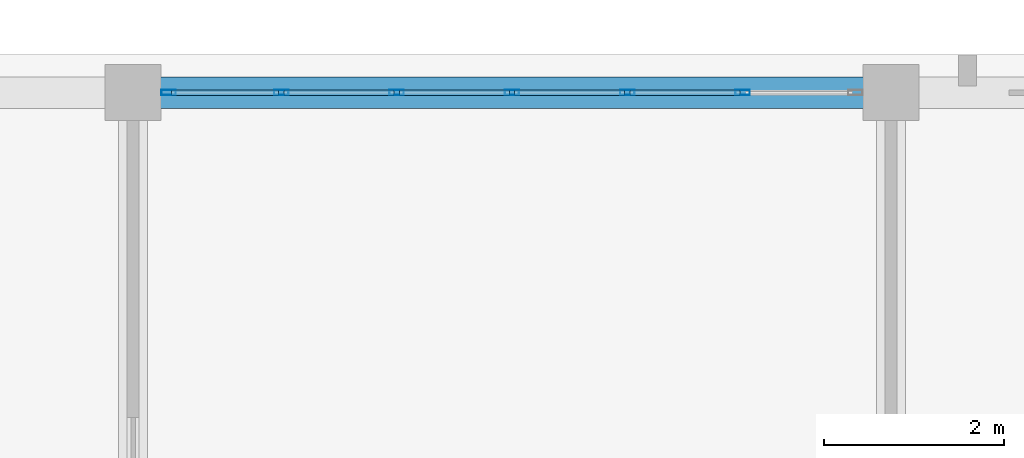
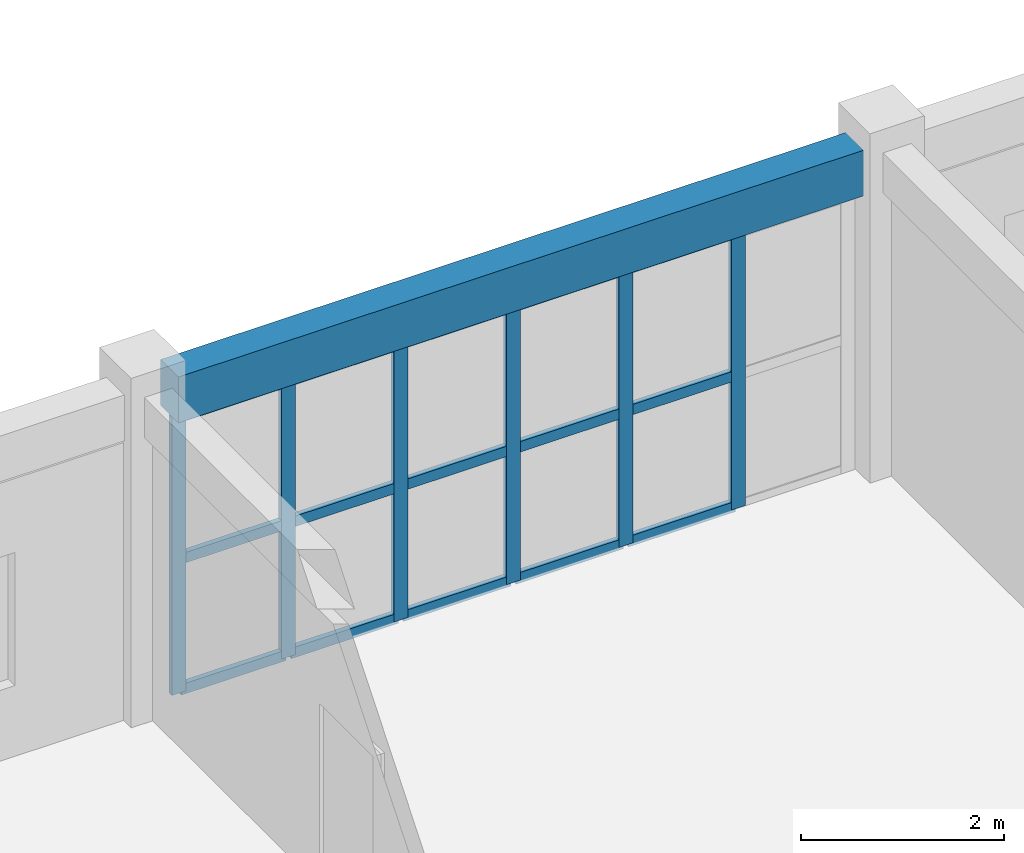
# One storey, part 40 of 81: 21 members, 1 beam, 1 element without a shape of its own.
"""IFC4 building model written with IfcOpenShell, lengths in metres."""

import ifcopenshell
import ifcopenshell.guid

model = None  # the IFC model being written
_history = None  # IfcOwnerHistory: only IFC2X3 demands one
_inside = {}  # id of a spatial element -> (the spatial element, [elements in it])
_under = {}  # id of a project, library or spatial element -> (it, [spatial elements below it])
_declared = {}  # id of a project -> (the project, [libraries it declares])
_typed = {}  # id of a type object -> (the type object, [elements of that type])
_made_of = {}  # id of a material, layer set ... -> (it, [elements and type objects made of it])


def new_model(schema):
    """Start an empty IFC model of exactly this schema.

    Asked for "IFC4X3", IfcOpenShell would pick the latest addendum, in which some entities
    have other attributes; the version numbers below select the first issue.
    IFC2X3 requires an IfcOwnerHistory on every rooted entity: one is made here for all.
    """
    global model, _history
    if schema == "IFC4X3":
        model = ifcopenshell.file(schema_version=(4, 3, 0, 0))
    else:
        model = ifcopenshell.file(schema=schema)
    _inside.clear()
    _under.clear()
    _declared.clear()
    _typed.clear()
    _made_of.clear()
    _history = None
    if model.schema == "IFC2X3":
        org = make("IfcOrganization", Name="unknown")
        user = make(
            "IfcPersonAndOrganization",
            ThePerson=make("IfcPerson", FamilyName="unknown"),
            TheOrganization=org,
        )
        app = make(
            "IfcApplication",
            ApplicationDeveloper=org,
            Version="unknown",
            ApplicationFullName="unknown",
            ApplicationIdentifier="unknown",
        )
        _history = make(
            "IfcOwnerHistory",
            OwningUser=user,
            OwningApplication=app,
            ChangeAction="ADDED",
            CreationDate=0,
        )
    return model


def make(cls, **values):
    """One entity of the class cls with the attributes given. An attribute that is None is left unset."""
    return model.create_entity(
        cls, **{name: value for name, value in values.items() if value is not None}
    )


def rooted(cls, **values):
    """An entity with a GlobalId (a new one), such as an element, a storey or a relation."""
    return make(cls, GlobalId=ifcopenshell.guid.new(), OwnerHistory=_history, **values)


def si_unit(unit_type, name, prefix=None):
    """IfcSIUnit, for example si_unit("LENGTHUNIT", "METRE", prefix="MILLI")."""
    return make("IfcSIUnit", UnitType=unit_type, Prefix=prefix, Name=name)


def assignment(units):
    """IfcUnitAssignment: the units of a project."""
    return None if units is None else make("IfcUnitAssignment", Units=units)


def point(xyz):
    """IfcCartesianPoint."""
    return None if xyz is None else make("IfcCartesianPoint", Coordinates=xyz)


def direction(xyz):
    """IfcDirection."""
    return None if xyz is None else make("IfcDirection", DirectionRatios=xyz)


def frame(location, z_axis=None, x_axis=None):
    """IfcAxis2Placement3D, a coordinate frame: its origin and axes. An axis left out is left unset."""
    return make(
        "IfcAxis2Placement3D",
        Location=point(location),
        Axis=direction(z_axis),
        RefDirection=direction(x_axis),
    )


def frame_2d(location, x_axis=None):
    """IfcAxis2Placement2D, a coordinate frame in the plane: its origin and x axis."""
    return make(
        "IfcAxis2Placement2D", Location=point(location), RefDirection=direction(x_axis)
    )


def origin():
    """The frame at (0, 0, 0) with its axes left unset."""
    return frame((0.0, 0.0, 0.0))


def origin_2d():
    """The frame at (0, 0) in the plane with its x axis left unset."""
    return frame_2d((0.0, 0.0))


def place(relative_to, where):
    """IfcLocalPlacement: puts the frame where relative to a parent placement (None: the world)."""
    return make(
        "IfcLocalPlacement", PlacementRelTo=relative_to, RelativePlacement=where
    )


def context(
    kind, dimensions, precision=None, world=None, true_north=None, identifier=None
):
    """IfcGeometricRepresentationContext, for example the 3D "Model" context."""
    return make(
        "IfcGeometricRepresentationContext",
        ContextIdentifier=identifier,
        ContextType=kind,
        CoordinateSpaceDimension=dimensions,
        Precision=precision,
        WorldCoordinateSystem=world,
        TrueNorth=true_north,
    )


def subcontext(parent, identifier, kind, view, scale=None):
    """IfcGeometricRepresentationSubContext, for example "Body" below "Model"."""
    return make(
        "IfcGeometricRepresentationSubContext",
        ContextIdentifier=identifier,
        ContextType=kind,
        ParentContext=parent,
        TargetScale=scale,
        TargetView=view,
    )


def project(units=None, contexts=None):
    """IfcProject with its units and contexts."""
    return rooted(
        "IfcProject",
        Name="project",
        RepresentationContexts=contexts,
        UnitsInContext=assignment(units),
    )


def spatial(cls, under=None, at=None, **own):
    """A site, building, storey or space (cls), placed at a placement, below another one or the project."""
    s = rooted(cls, ObjectPlacement=at, **own)
    if under is not None:
        _under.setdefault(under.id(), (under, []))[1].append(s)
    return s


def profile(cls, at=None, kind="AREA", **sizes):
    """A parametric profile (cls). Its sizes go by their IFC names, for example OverallWidth=200.0."""
    return make(cls, ProfileType=kind, Position=at, **sizes)


def rectangle(**sizes):
    """IfcRectangleProfileDef."""
    return profile("IfcRectangleProfileDef", **sizes)


def hollow_rectangle(**sizes):
    """IfcRectangleHollowProfileDef."""
    return profile("IfcRectangleHollowProfileDef", **sizes)


def extrude(swept, where, along, depth):
    """IfcExtrudedAreaSolid: the profile swept, set in the frame where, extruded along a direction by depth."""
    return make(
        "IfcExtrudedAreaSolid",
        SweptArea=swept,
        Position=where,
        ExtrudedDirection=direction(along),
        Depth=depth,
    )


def shape(context_of_items, identifier, shape_type, items):
    """IfcShapeRepresentation: the items that make up one representation, for example the "Body"."""
    return make(
        "IfcShapeRepresentation",
        ContextOfItems=context_of_items,
        RepresentationIdentifier=identifier,
        RepresentationType=shape_type,
        Items=items,
    )


def material(Name=None, Category=None):
    """IfcMaterial."""
    return make("IfcMaterial", Name=Name, Category=Category)


def layer(
    of_material, thickness, ventilated=None, Name=None, Category=None, Priority=None
):
    """IfcMaterialLayer: one layer of a wall or slab, of a material (None: an air gap)."""
    return make(
        "IfcMaterialLayer",
        Material=of_material,
        LayerThickness=thickness,
        IsVentilated=ventilated,
        Name=Name,
        Category=Category,
        Priority=Priority,
    )


def layer_set(layers, Name=None):
    """IfcMaterialLayerSet."""
    return make("IfcMaterialLayerSet", MaterialLayers=layers, LayerSetName=Name)


def material_profile(
    of_material, cross_section, Name=None, Category=None, Priority=None
):
    """IfcMaterialProfile: a cross section and its material."""
    return make(
        "IfcMaterialProfile",
        Name=Name,
        Material=of_material,
        Profile=cross_section,
        Priority=Priority,
        Category=Category,
    )


def profile_set(profiles, Name=None, composite=None):
    """IfcMaterialProfileSet."""
    return make(
        "IfcMaterialProfileSet",
        Name=Name,
        MaterialProfiles=profiles,
        CompositeProfile=composite,
    )


def made_of(thing, what):
    """Note that an element or type object is made of a material, layer set ...; save() writes the relation."""
    if what is not None:
        _made_of.setdefault(what.id(), (what, []))[1].append(thing)
    return thing


def type_object(cls, material=None, **own):
    """A type object (cls), such as IfcWallType, which elements share."""
    return made_of(rooted(cls, **own), material)


def element(
    cls,
    number,
    at=None,
    inside=None,
    cuts=None,
    type_object=None,
    material=None,
    context=None,
    identifier="Body",
    shape_type=None,
    held_by="IfcProductDefinitionShape",
    body=None,
    shapes=None,
    **own,
):
    """One element of the class cls, such as IfcWall. Its Tag is "e" and its number.

    at: its placement. inside: the storey or other place that contains it. cuts: it is an
    opening in that element (IfcRelVoidsElement). A single representation is given by context,
    identifier, shape_type and body (its items); several are given by shapes. held_by: the class
    of the entity that holds the representations. save() writes the other relations.
    """
    e = rooted(cls, Tag="e%d" % number, ObjectPlacement=at, **own)
    if body is not None:
        shapes = [shape(context, identifier, shape_type, body)]
    if shapes is not None:
        e.Representation = make(held_by, Representations=shapes)
    if inside is not None:
        _inside.setdefault(inside.id(), (inside, []))[1].append(e)
    if cuts is not None:
        rooted(
            "IfcRelVoidsElement", RelatingBuildingElement=cuts, RelatedOpeningElement=e
        )
    if type_object is not None:
        _typed.setdefault(type_object.id(), (type_object, []))[1].append(e)
    return made_of(e, material)


def aggregate(whole, parts):
    """IfcRelAggregates: a whole, such as a stair, and the parts it consists of."""
    return rooted("IfcRelAggregates", RelatingObject=whole, RelatedObjects=parts)


def save(model, path):
    """Write the relations noted so far, then the file.

    IfcRelAggregates (storeys below a building ...), IfcRelContainedInSpatialStructure (elements
    in a storey), IfcRelDefinesByType, IfcRelAssociatesMaterial and IfcRelDeclares: one each for
    every whole, place, type object, material and project.
    """
    for whole, parts in _under.values():
        aggregate(whole, parts)
    for where, things in _inside.values():
        rooted(
            "IfcRelContainedInSpatialStructure",
            RelatedElements=things,
            RelatingStructure=where,
        )
    for kind, things in _typed.values():
        rooted("IfcRelDefinesByType", RelatedObjects=things, RelatingType=kind)
    for what, things in _made_of.values():
        rooted("IfcRelAssociatesMaterial", RelatedObjects=things, RelatingMaterial=what)
    for by, libraries in _declared.values():
        rooted("IfcRelDeclares", RelatingContext=by, RelatedDefinitions=libraries)
    model.write(path)


model = new_model("IFC4")

# Units and contexts
model_context = context("Model", 3, precision=1e-05, world=origin(), true_north=direction((0.0, 1.0)))
body_context = subcontext(model_context, "Body", "Model", "MODEL_VIEW")
ifc_project = project(units=[si_unit("LENGTHUNIT", "METRE"), si_unit("AREAUNIT", "SQUARE_METRE"), si_unit("VOLUMEUNIT", "CUBIC_METRE"), si_unit("PLANEANGLEUNIT", "RADIAN"), si_unit("MASSUNIT", "GRAM", prefix="KILO")], contexts=[model_context])

# Site, building, storey
site_placement = place(None, origin())
site = spatial("IfcSite", under=ifc_project, at=site_placement, CompositionType="ELEMENT")
building_placement = place(site_placement, origin())
building = spatial("IfcBuilding", under=site, at=building_placement, Name="Trelvath General Hospital", CompositionType="ELEMENT")
storey_placement = place(building_placement, frame((0.0, 0.0, 24.60009765625)))
storey = spatial("IfcBuildingStorey", under=building, at=storey_placement, Name="L06", CompositionType="ELEMENT", Elevation=24.60009765625)

# Beam
ifc_material_1 = material(Name="Concrete C35/45", Category="concrete")
ifc_material_profile_1 = material_profile(ifc_material_1, rectangle(XDim=0.35009765625, YDim=0.550048828125, at=origin_2d()), Name="RCB350x550")
ifc_profile_set_1 = profile_set([ifc_material_profile_1], Name="Concrete C35/45")
beam_type = type_object("IfcBeamType", Name="Beam RC350x550", PredefinedType="BEAM", material=ifc_profile_set_1)
beam_placement = place(storey_placement, frame((42.304931640625, 117.60009765625, 3.64501953125), z_axis=(1.0, 0.0, 0.0), x_axis=(0.0, 1.0, 0.0)))
element("IfcBeam", 1, at=beam_placement, inside=storey, type_object=beam_type, Name="Grid Beam BX-605O", PredefinedType="BEAM", context=body_context, shape_type="SweptSolid", body=[
    extrude(rectangle(XDim=0.35009765625, YDim=0.550048828125, at=origin_2d()), origin(), (0.0, 0.0, 1.0), 7.7900390625),
])

# Curtain wall, members
ifc_material_2 = material(Name="Anodised aluminium and low-E glass", Category="aluminium")
ifc_layer = layer(ifc_material_2, 0.14990234375)
ifc_layer_set = layer_set([ifc_layer], Name="Anodised aluminium and low-E glass")
curtain_wall_type = type_object("IfcCurtainWallType", Name="CW Facade 767 334 15", PredefinedType="USERDEFINED", material=ifc_layer_set)
curtain_wall_placement = place(storey_placement, origin())
curtain_wall = element("IfcCurtainWall", 2, at=curtain_wall_placement, inside=storey, type_object=curtain_wall_type, Name="Facade Curtain Wall CW-077", ObjectType="Unitised Glazed Curtain Wall", PredefinedType="USERDEFINED")
ifc_material_3 = material(Name="Anodised aluminium", Category="aluminium")
ifc_material_profile_2 = material_profile(ifc_material_3, hollow_rectangle(XDim=0.06005859375, YDim=0.159912109375, WallThickness=0.00390625, at=origin_2d()), Name="RHS60x160x4")
ifc_profile_set_2 = profile_set([ifc_material_profile_2], Name="Anodised aluminium")
member_type_1 = type_object("IfcMemberType", Name="CurtainMullion 60x160", PredefinedType="MULLION", material=ifc_profile_set_2)
member_1_placement = place(storey_placement, frame((42.39501953125, 117.60009765625, 0.0), z_axis=(0.0, 0.0, 1.0), x_axis=(0.0, 1.0, 0.0)))
member_1 = element("IfcMember", 3, at=member_1_placement, type_object=member_type_1, Name="CW-077 mullion 1", PredefinedType="MULLION", context=body_context, shape_type="SweptSolid", body=[
    extrude(hollow_rectangle(XDim=0.06005859375, YDim=0.159912109375, WallThickness=0.00390625, at=origin_2d()), origin(), (0.0, 0.0, 1.0), 3.33984375),
])
member_2_placement = place(storey_placement, frame((43.643310546875, 117.60009765625, 0.0), z_axis=(0.0, 0.0, 1.0), x_axis=(0.0, 1.0, 0.0)))
member_2 = element("IfcMember", 4, at=member_2_placement, type_object=member_type_1, Name="CW-077 mullion 2", PredefinedType="MULLION", context=body_context, shape_type="SweptSolid", body=[
    extrude(hollow_rectangle(XDim=0.06005859375, YDim=0.159912109375, WallThickness=0.00390625, at=origin_2d()), origin(), (0.0, 0.0, 1.0), 3.33984375),
])
member_3_placement = place(storey_placement, frame((44.921630859375, 117.60009765625, 0.0), z_axis=(0.0, 0.0, 1.0), x_axis=(0.0, 1.0, 0.0)))
member_3 = element("IfcMember", 5, at=member_3_placement, type_object=member_type_1, Name="CW-077 mullion 3", PredefinedType="MULLION", context=body_context, shape_type="SweptSolid", body=[
    extrude(hollow_rectangle(XDim=0.06005859375, YDim=0.159912109375, WallThickness=0.00390625, at=origin_2d()), origin(), (0.0, 0.0, 1.0), 3.33984375),
])
member_4_placement = place(storey_placement, frame((46.199951171875, 117.60009765625, 0.0), z_axis=(0.0, 0.0, 1.0), x_axis=(0.0, 1.0, 0.0)))
member_4 = element("IfcMember", 6, at=member_4_placement, type_object=member_type_1, Name="CW-077 mullion 4", PredefinedType="MULLION", context=body_context, shape_type="SweptSolid", body=[
    extrude(hollow_rectangle(XDim=0.06005859375, YDim=0.159912109375, WallThickness=0.00390625, at=origin_2d()), origin(), (0.0, 0.0, 1.0), 3.33984375),
])
member_5_placement = place(storey_placement, frame((47.478271484375, 117.60009765625, 0.0), z_axis=(0.0, 0.0, 1.0), x_axis=(0.0, 1.0, 0.0)))
member_5 = element("IfcMember", 7, at=member_5_placement, type_object=member_type_1, Name="CW-077 mullion 5", PredefinedType="MULLION", context=body_context, shape_type="SweptSolid", body=[
    extrude(hollow_rectangle(XDim=0.06005859375, YDim=0.159912109375, WallThickness=0.00390625, at=origin_2d()), origin(), (0.0, 0.0, 1.0), 3.33984375),
])
member_6_placement = place(storey_placement, frame((48.756591796875, 117.60009765625, 0.0), z_axis=(0.0, 0.0, 1.0), x_axis=(0.0, 1.0, 0.0)))
member_6 = element("IfcMember", 8, at=member_6_placement, type_object=member_type_1, Name="CW-077 mullion 6", PredefinedType="MULLION", context=body_context, shape_type="SweptSolid", body=[
    extrude(hollow_rectangle(XDim=0.06005859375, YDim=0.159912109375, WallThickness=0.00390625, at=origin_2d()), origin(), (0.0, 0.0, 1.0), 3.33984375),
])
ifc_material_4 = material(Name="Anodised aluminium", Category="aluminium")
ifc_material_profile_3 = material_profile(ifc_material_4, hollow_rectangle(XDim=0.06005859375, YDim=0.125, WallThickness=0.00390625, at=origin_2d()), Name="RHS60x125x4")
ifc_profile_set_3 = profile_set([ifc_material_profile_3], Name="Anodised aluminium")
member_type_2 = type_object("IfcMemberType", Name="CurtainTransom 60x125", PredefinedType="USERDEFINED", material=ifc_profile_set_3)
member_7_placement = place(storey_placement, frame((42.425048828125, 117.60009765625, 0.02978515625), z_axis=(1.0, 0.0, 0.0), x_axis=(0.0, 1.0, 0.0)))
member_7 = element("IfcMember", 9, at=member_7_placement, type_object=member_type_2, Name="CW-077 transom 1.1", ObjectType="TRANSOM", PredefinedType="USERDEFINED", context=body_context, shape_type="SweptSolid", body=[
    extrude(hollow_rectangle(XDim=0.06005859375, YDim=0.125, WallThickness=0.00390625, at=origin_2d()), origin(), (0.0, 0.0, 1.0), 1.188232421875),
])
member_8_placement = place(storey_placement, frame((42.425048828125, 117.60009765625, 1.602783203125), z_axis=(1.0, 0.0, 0.0), x_axis=(0.0, 1.0, 0.0)))
member_8 = element("IfcMember", 10, at=member_8_placement, type_object=member_type_2, Name="CW-077 transom 1.2", ObjectType="TRANSOM", PredefinedType="USERDEFINED", context=body_context, shape_type="SweptSolid", body=[
    extrude(hollow_rectangle(XDim=0.06005859375, YDim=0.125, WallThickness=0.00390625, at=origin_2d()), origin(), (0.0, 0.0, 1.0), 1.188232421875),
])
member_9_placement = place(storey_placement, frame((42.425048828125, 117.60009765625, 3.309814453125), z_axis=(1.0, 0.0, 0.0), x_axis=(0.0, 1.0, 0.0)))
member_9 = element("IfcMember", 11, at=member_9_placement, type_object=member_type_2, Name="CW-077 transom 1.3", ObjectType="TRANSOM", PredefinedType="USERDEFINED", context=body_context, shape_type="SweptSolid", body=[
    extrude(hollow_rectangle(XDim=0.06005859375, YDim=0.125, WallThickness=0.00390625, at=origin_2d()), origin(), (0.0, 0.0, 1.0), 1.188232421875),
])
member_10_placement = place(storey_placement, frame((43.67333984375, 117.60009765625, 0.02978515625), z_axis=(1.0, 0.0, 0.0), x_axis=(0.0, 1.0, 0.0)))
member_10 = element("IfcMember", 12, at=member_10_placement, type_object=member_type_2, Name="CW-077 transom 2.1", ObjectType="TRANSOM", PredefinedType="USERDEFINED", context=body_context, shape_type="SweptSolid", body=[
    extrude(hollow_rectangle(XDim=0.06005859375, YDim=0.125, WallThickness=0.00390625, at=origin_2d()), origin(), (0.0, 0.0, 1.0), 1.21826171875),
])
member_11_placement = place(storey_placement, frame((43.67333984375, 117.60009765625, 1.602783203125), z_axis=(1.0, 0.0, 0.0), x_axis=(0.0, 1.0, 0.0)))
member_11 = element("IfcMember", 13, at=member_11_placement, type_object=member_type_2, Name="CW-077 transom 2.2", ObjectType="TRANSOM", PredefinedType="USERDEFINED", context=body_context, shape_type="SweptSolid", body=[
    extrude(hollow_rectangle(XDim=0.06005859375, YDim=0.125, WallThickness=0.00390625, at=origin_2d()), origin(), (0.0, 0.0, 1.0), 1.21826171875),
])
member_12_placement = place(storey_placement, frame((43.67333984375, 117.60009765625, 3.309814453125), z_axis=(1.0, 0.0, 0.0), x_axis=(0.0, 1.0, 0.0)))
member_12 = element("IfcMember", 14, at=member_12_placement, type_object=member_type_2, Name="CW-077 transom 2.3", ObjectType="TRANSOM", PredefinedType="USERDEFINED", context=body_context, shape_type="SweptSolid", body=[
    extrude(hollow_rectangle(XDim=0.06005859375, YDim=0.125, WallThickness=0.00390625, at=origin_2d()), origin(), (0.0, 0.0, 1.0), 1.21826171875),
])
member_13_placement = place(storey_placement, frame((44.95166015625, 117.60009765625, 0.02978515625), z_axis=(1.0, 0.0, 0.0), x_axis=(0.0, 1.0, 0.0)))
member_13 = element("IfcMember", 15, at=member_13_placement, type_object=member_type_2, Name="CW-077 transom 3.1", ObjectType="TRANSOM", PredefinedType="USERDEFINED", context=body_context, shape_type="SweptSolid", body=[
    extrude(hollow_rectangle(XDim=0.06005859375, YDim=0.125, WallThickness=0.00390625, at=origin_2d()), origin(), (0.0, 0.0, 1.0), 1.21826171875),
])
member_14_placement = place(storey_placement, frame((44.95166015625, 117.60009765625, 1.602783203125), z_axis=(1.0, 0.0, 0.0), x_axis=(0.0, 1.0, 0.0)))
member_14 = element("IfcMember", 16, at=member_14_placement, type_object=member_type_2, Name="CW-077 transom 3.2", ObjectType="TRANSOM", PredefinedType="USERDEFINED", context=body_context, shape_type="SweptSolid", body=[
    extrude(hollow_rectangle(XDim=0.06005859375, YDim=0.125, WallThickness=0.00390625, at=origin_2d()), origin(), (0.0, 0.0, 1.0), 1.21826171875),
])
member_15_placement = place(storey_placement, frame((44.95166015625, 117.60009765625, 3.309814453125), z_axis=(1.0, 0.0, 0.0), x_axis=(0.0, 1.0, 0.0)))
member_15 = element("IfcMember", 17, at=member_15_placement, type_object=member_type_2, Name="CW-077 transom 3.3", ObjectType="TRANSOM", PredefinedType="USERDEFINED", context=body_context, shape_type="SweptSolid", body=[
    extrude(hollow_rectangle(XDim=0.06005859375, YDim=0.125, WallThickness=0.00390625, at=origin_2d()), origin(), (0.0, 0.0, 1.0), 1.21826171875),
])
member_16_placement = place(storey_placement, frame((46.22998046875, 117.60009765625, 0.02978515625), z_axis=(1.0, 0.0, 0.0), x_axis=(0.0, 1.0, 0.0)))
member_16 = element("IfcMember", 18, at=member_16_placement, type_object=member_type_2, Name="CW-077 transom 4.1", ObjectType="TRANSOM", PredefinedType="USERDEFINED", context=body_context, shape_type="SweptSolid", body=[
    extrude(hollow_rectangle(XDim=0.06005859375, YDim=0.125, WallThickness=0.00390625, at=origin_2d()), origin(), (0.0, 0.0, 1.0), 1.21826171875),
])
member_17_placement = place(storey_placement, frame((46.22998046875, 117.60009765625, 1.602783203125), z_axis=(1.0, 0.0, 0.0), x_axis=(0.0, 1.0, 0.0)))
member_17 = element("IfcMember", 19, at=member_17_placement, type_object=member_type_2, Name="CW-077 transom 4.2", ObjectType="TRANSOM", PredefinedType="USERDEFINED", context=body_context, shape_type="SweptSolid", body=[
    extrude(hollow_rectangle(XDim=0.06005859375, YDim=0.125, WallThickness=0.00390625, at=origin_2d()), origin(), (0.0, 0.0, 1.0), 1.21826171875),
])
member_18_placement = place(storey_placement, frame((46.22998046875, 117.60009765625, 3.309814453125), z_axis=(1.0, 0.0, 0.0), x_axis=(0.0, 1.0, 0.0)))
member_18 = element("IfcMember", 20, at=member_18_placement, type_object=member_type_2, Name="CW-077 transom 4.3", ObjectType="TRANSOM", PredefinedType="USERDEFINED", context=body_context, shape_type="SweptSolid", body=[
    extrude(hollow_rectangle(XDim=0.06005859375, YDim=0.125, WallThickness=0.00390625, at=origin_2d()), origin(), (0.0, 0.0, 1.0), 1.21826171875),
])
member_19_placement = place(storey_placement, frame((47.50830078125, 117.60009765625, 0.02978515625), z_axis=(1.0, 0.0, 0.0), x_axis=(0.0, 1.0, 0.0)))
member_19 = element("IfcMember", 21, at=member_19_placement, type_object=member_type_2, Name="CW-077 transom 5.1", ObjectType="TRANSOM", PredefinedType="USERDEFINED", context=body_context, shape_type="SweptSolid", body=[
    extrude(hollow_rectangle(XDim=0.06005859375, YDim=0.125, WallThickness=0.00390625, at=origin_2d()), origin(), (0.0, 0.0, 1.0), 1.21826171875),
])
member_20_placement = place(storey_placement, frame((47.50830078125, 117.60009765625, 1.602783203125), z_axis=(1.0, 0.0, 0.0), x_axis=(0.0, 1.0, 0.0)))
member_20 = element("IfcMember", 22, at=member_20_placement, type_object=member_type_2, Name="CW-077 transom 5.2", ObjectType="TRANSOM", PredefinedType="USERDEFINED", context=body_context, shape_type="SweptSolid", body=[
    extrude(hollow_rectangle(XDim=0.06005859375, YDim=0.125, WallThickness=0.00390625, at=origin_2d()), origin(), (0.0, 0.0, 1.0), 1.21826171875),
])
member_21_placement = place(storey_placement, frame((47.50830078125, 117.60009765625, 3.309814453125), z_axis=(1.0, 0.0, 0.0), x_axis=(0.0, 1.0, 0.0)))
member_21 = element("IfcMember", 23, at=member_21_placement, type_object=member_type_2, Name="CW-077 transom 5.3", ObjectType="TRANSOM", PredefinedType="USERDEFINED", context=body_context, shape_type="SweptSolid", body=[
    extrude(hollow_rectangle(XDim=0.06005859375, YDim=0.125, WallThickness=0.00390625, at=origin_2d()), origin(), (0.0, 0.0, 1.0), 1.21826171875),
])
aggregate(curtain_wall, [member_1, member_2, member_3, member_4, member_5, member_6, member_7, member_8, member_9, member_10, member_11, member_12, member_13, member_14, member_15, member_16, member_17, member_18, member_19, member_20, member_21])

save(model, "model.ifc")
